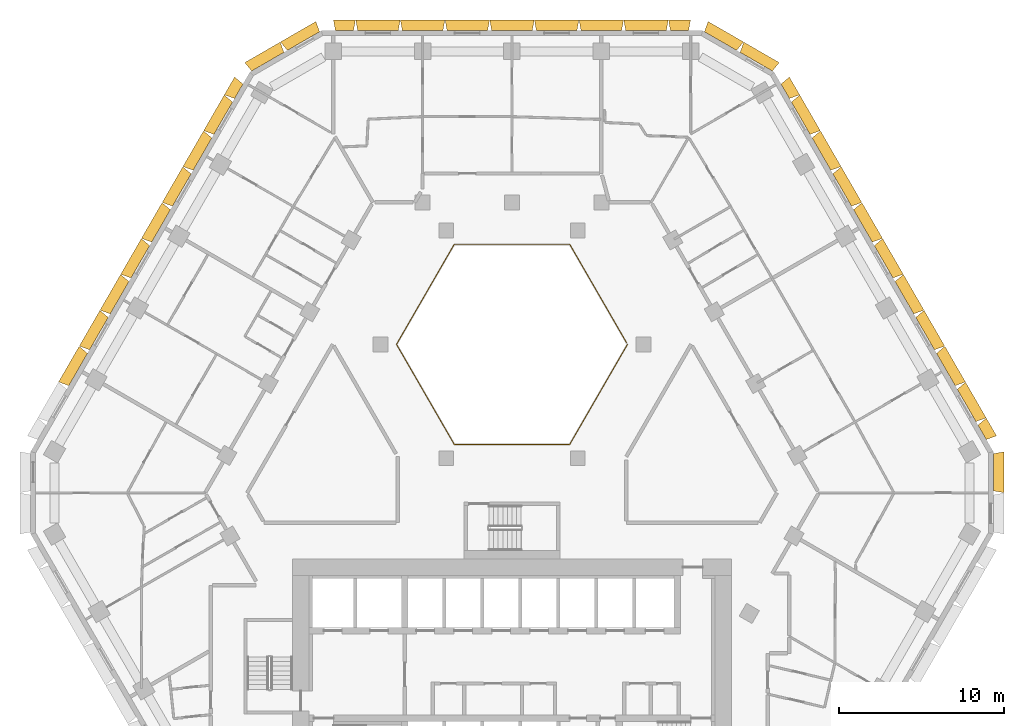
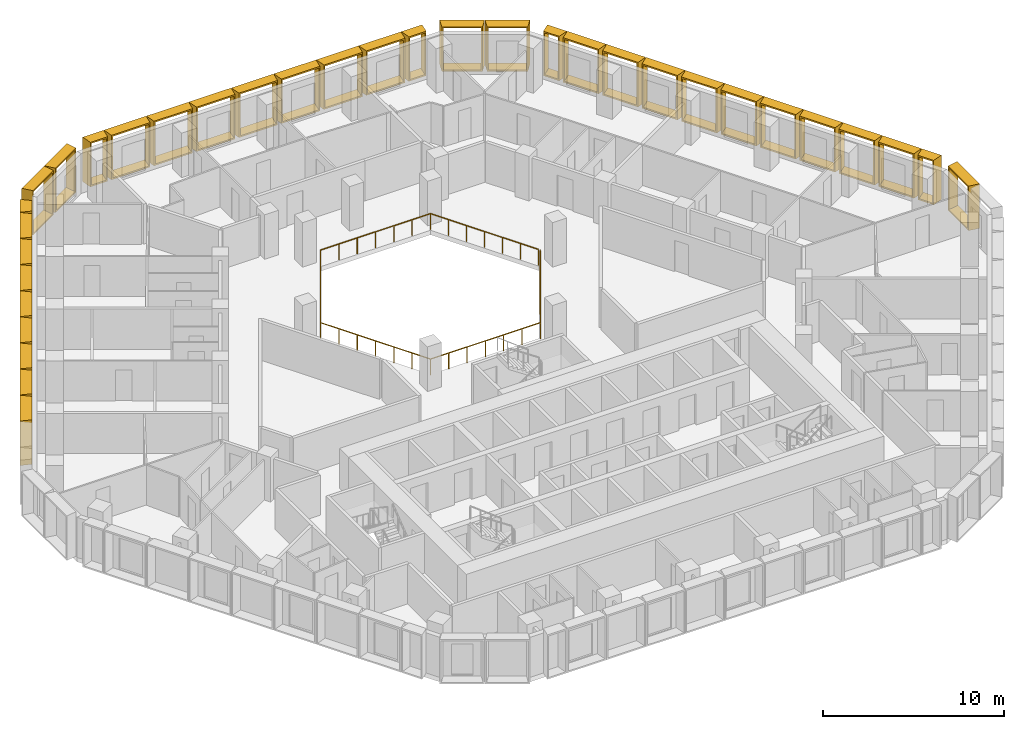
# One storey, part 16 of 16: 34 shading devices, 1 railing.
"""IFC4 building model written with IfcOpenShell, lengths in metres."""

from ifc_helpers import new_model, entity, si_unit, direction, frame, origin, origin_2d, place, context, subcontext, project, spatial, rectangle, extrude, source, transform, mapped, material, type_object, type_shapes, element, save


model = new_model("IFC4")

# Units and contexts
model_context = context("Model", 3, precision=1e-05, world=origin(), true_north=direction((0.0, 1.0)))
body_context = subcontext(model_context, "Body", "Model", "MODEL_VIEW")
ifc_project = project(units=[si_unit("LENGTHUNIT", "METRE"), si_unit("AREAUNIT", "SQUARE_METRE"), si_unit("VOLUMEUNIT", "CUBIC_METRE"), si_unit("PLANEANGLEUNIT", "RADIAN"), si_unit("MASSUNIT", "GRAM", prefix="KILO")], contexts=[model_context])

# Site, building, storey
site_placement = place(None, origin())
site = spatial("IfcSite", under=ifc_project, at=site_placement, CompositionType="ELEMENT")
building_placement = place(site_placement, origin())
building = spatial("IfcBuilding", under=site, at=building_placement, Name="Beryl Residences", CompositionType="ELEMENT")
storey_placement = place(building_placement, frame((0.0, 0.0, 90.0)))
storey = spatial("IfcBuildingStorey", under=building, at=storey_placement, Name="L27", CompositionType="ELEMENT", Elevation=90.0)

# Railing
ifc_material_1 = material(Name="Stainless steel balustrade with glass infill", Category="steel")
railing_type = type_object("IfcRailingType", Name="EG1 edge guard 1100 mm", PredefinedType="GUARDRAIL", material=ifc_material_1)
railing_placement = place(storey_placement, frame((6.9970703125, 8.0, 0.0)))
element("IfcRailing", 1, at=railing_placement, inside=storey, type_object=railing_type, Name="L27 atrium guard", PredefinedType="GUARDRAIL", context=body_context, shape_type="SweptSolid", body=[
    extrude(rectangle(XDim=0.048095703125, YDim=0.048095703125, at=origin_2d()), frame((0.0, 0.0, 1.076171875), z_axis=(-0.499921796684, -0.866070549782, 0.0), x_axis=(0.866070549782, -0.499921796684, 0.0)), (0.0, 0.0, 1.0), 6.9970703125),
    extrude(rectangle(XDim=0.048095703125, YDim=0.048095703125, at=origin_2d()), frame((-3.498046875, -6.06005859375, 1.076171875), z_axis=(-1.0, 0.0, 0.0), x_axis=(0.0, -1.0, 0.0)), (0.0, 0.0, 1.0), 6.998046875),
    extrude(rectangle(XDim=0.048095703125, YDim=0.048095703125, at=origin_2d()), frame((-10.49609375, -6.06005859375, 1.076171875), z_axis=(-0.499921796684, 0.866070549782, 0.0), x_axis=(-0.866070549782, -0.499921796684, 0.0)), (0.0, 0.0, 1.0), 6.9970703125),
    extrude(rectangle(XDim=0.048095703125, YDim=0.048095703125, at=origin_2d()), frame((-13.994140625, 0.0, 1.076171875), z_axis=(0.499921796684, 0.866070549782, 0.0), x_axis=(-0.866070549782, 0.499921796684, 0.0)), (0.0, 0.0, 1.0), 6.9970703125),
    extrude(rectangle(XDim=0.048095703125, YDim=0.048095703125, at=origin_2d()), frame((-10.49609375, 6.06005859375, 1.076171875), z_axis=(1.0, 0.0, 0.0), x_axis=(0.0, 1.0, 0.0)), (0.0, 0.0, 1.0), 6.998046875),
    extrude(rectangle(XDim=0.048095703125, YDim=0.048095703125, at=origin_2d()), frame((-3.498046875, 6.06005859375, 1.076171875), z_axis=(0.499919131929, -0.866072087953, 0.0), x_axis=(0.866072087953, 0.499919131929, 0.0)), (0.0, 0.0, 1.0), 6.877197265625),
    extrude(rectangle(XDim=0.0419921875, YDim=0.0419921875, at=origin_2d()), origin(), (0.0, 0.0, 1.0), 1.052001953125),
    extrude(rectangle(XDim=0.0419921875, YDim=0.0419921875, at=origin_2d()), frame((-0.5830078125, -1.010009765625, 0.0)), (0.0, 0.0, 1.0), 1.052001953125),
    extrude(rectangle(XDim=0.0419921875, YDim=0.0419921875, at=origin_2d()), frame((-1.166015625, -2.02001953125, 0.0)), (0.0, 0.0, 1.0), 1.052001953125),
    extrude(rectangle(XDim=0.0419921875, YDim=0.0419921875, at=origin_2d()), frame((-1.7490234375, -3.030029296875, 0.0)), (0.0, 0.0, 1.0), 1.052001953125),
    extrude(rectangle(XDim=0.0419921875, YDim=0.0419921875, at=origin_2d()), frame((-2.33203125, -4.0400390625, 0.0)), (0.0, 0.0, 1.0), 1.052001953125),
    extrude(rectangle(XDim=0.0419921875, YDim=0.0419921875, at=origin_2d()), frame((-2.9150390625, -5.050048828125, 0.0)), (0.0, 0.0, 1.0), 1.052001953125),
    extrude(rectangle(XDim=0.0419921875, YDim=0.0419921875, at=origin_2d()), frame((-3.498046875, -6.06005859375, 0.0)), (0.0, 0.0, 1.0), 1.052001953125),
    extrude(rectangle(XDim=0.0419921875, YDim=0.0419921875, at=origin_2d()), frame((-4.664306640625, -6.06005859375, 0.0)), (0.0, 0.0, 1.0), 1.052001953125),
    extrude(rectangle(XDim=0.0419921875, YDim=0.0419921875, at=origin_2d()), frame((-5.830810546875, -6.06005859375, 0.0)), (0.0, 0.0, 1.0), 1.052001953125),
    extrude(rectangle(XDim=0.0419921875, YDim=0.0419921875, at=origin_2d()), frame((-6.9970703125, -6.06005859375, 0.0)), (0.0, 0.0, 1.0), 1.052001953125),
    extrude(rectangle(XDim=0.0419921875, YDim=0.0419921875, at=origin_2d()), frame((-8.163330078125, -6.06005859375, 0.0)), (0.0, 0.0, 1.0), 1.052001953125),
    extrude(rectangle(XDim=0.0419921875, YDim=0.0419921875, at=origin_2d()), frame((-9.329833984375, -6.06005859375, 0.0)), (0.0, 0.0, 1.0), 1.052001953125),
    extrude(rectangle(XDim=0.0419921875, YDim=0.0419921875, at=origin_2d()), frame((-10.49609375, -6.06005859375, 0.0)), (0.0, 0.0, 1.0), 1.052001953125),
    extrude(rectangle(XDim=0.0419921875, YDim=0.0419921875, at=origin_2d()), frame((-11.0791015625, -5.050048828125, 0.0)), (0.0, 0.0, 1.0), 1.052001953125),
    extrude(rectangle(XDim=0.0419921875, YDim=0.0419921875, at=origin_2d()), frame((-11.662109375, -4.0400390625, 0.0)), (0.0, 0.0, 1.0), 1.052001953125),
    extrude(rectangle(XDim=0.0419921875, YDim=0.0419921875, at=origin_2d()), frame((-12.2451171875, -3.030029296875, 0.0)), (0.0, 0.0, 1.0), 1.052001953125),
    extrude(rectangle(XDim=0.0419921875, YDim=0.0419921875, at=origin_2d()), frame((-12.828125, -2.02001953125, 0.0)), (0.0, 0.0, 1.0), 1.052001953125),
    extrude(rectangle(XDim=0.0419921875, YDim=0.0419921875, at=origin_2d()), frame((-13.4111328125, -1.010009765625, 0.0)), (0.0, 0.0, 1.0), 1.052001953125),
    extrude(rectangle(XDim=0.0419921875, YDim=0.0419921875, at=origin_2d()), frame((-13.994140625, 0.0, 0.0)), (0.0, 0.0, 1.0), 1.052001953125),
    extrude(rectangle(XDim=0.0419921875, YDim=0.0419921875, at=origin_2d()), frame((-13.4111328125, 1.010009765625, 0.0)), (0.0, 0.0, 1.0), 1.052001953125),
    extrude(rectangle(XDim=0.0419921875, YDim=0.0419921875, at=origin_2d()), frame((-12.828125, 2.02001953125, 0.0)), (0.0, 0.0, 1.0), 1.052001953125),
    extrude(rectangle(XDim=0.0419921875, YDim=0.0419921875, at=origin_2d()), frame((-12.2451171875, 3.030029296875, 0.0)), (0.0, 0.0, 1.0), 1.052001953125),
    extrude(rectangle(XDim=0.0419921875, YDim=0.0419921875, at=origin_2d()), frame((-11.662109375, 4.0400390625, 0.0)), (0.0, 0.0, 1.0), 1.052001953125),
    extrude(rectangle(XDim=0.0419921875, YDim=0.0419921875, at=origin_2d()), frame((-11.0791015625, 5.050048828125, 0.0)), (0.0, 0.0, 1.0), 1.052001953125),
    extrude(rectangle(XDim=0.0419921875, YDim=0.0419921875, at=origin_2d()), frame((-10.49609375, 6.06005859375, 0.0)), (0.0, 0.0, 1.0), 1.052001953125),
    extrude(rectangle(XDim=0.0419921875, YDim=0.0419921875, at=origin_2d()), frame((-9.329833984375, 6.06005859375, 0.0)), (0.0, 0.0, 1.0), 1.052001953125),
    extrude(rectangle(XDim=0.0419921875, YDim=0.0419921875, at=origin_2d()), frame((-8.163330078125, 6.06005859375, 0.0)), (0.0, 0.0, 1.0), 1.052001953125),
    extrude(rectangle(XDim=0.0419921875, YDim=0.0419921875, at=origin_2d()), frame((-6.9970703125, 6.06005859375, 0.0)), (0.0, 0.0, 1.0), 1.052001953125),
    extrude(rectangle(XDim=0.0419921875, YDim=0.0419921875, at=origin_2d()), frame((-5.830810546875, 6.06005859375, 0.0)), (0.0, 0.0, 1.0), 1.052001953125),
    extrude(rectangle(XDim=0.0419921875, YDim=0.0419921875, at=origin_2d()), frame((-4.664306640625, 6.06005859375, 0.0)), (0.0, 0.0, 1.0), 1.052001953125),
    extrude(rectangle(XDim=0.0419921875, YDim=0.0419921875, at=origin_2d()), frame((-3.498046875, 6.06005859375, 0.0)), (0.0, 0.0, 1.0), 1.052001953125),
    extrude(rectangle(XDim=0.0419921875, YDim=0.0419921875, at=origin_2d()), frame((-2.925048828125, 5.0673828125, 0.0)), (0.0, 0.0, 1.0), 1.052001953125),
    extrude(rectangle(XDim=0.0419921875, YDim=0.0419921875, at=origin_2d()), frame((-2.35205078125, 4.07470703125, 0.0)), (0.0, 0.0, 1.0), 1.052001953125),
    extrude(rectangle(XDim=0.0419921875, YDim=0.0419921875, at=origin_2d()), frame((-1.779052734375, 3.08203125, 0.0)), (0.0, 0.0, 1.0), 1.052001953125),
    extrude(rectangle(XDim=0.0419921875, YDim=0.0419921875, at=origin_2d()), frame((-1.2060546875, 2.08935546875, 0.0)), (0.0, 0.0, 1.0), 1.052001953125),
    extrude(rectangle(XDim=0.0419921875, YDim=0.0419921875, at=origin_2d()), frame((-0.633056640625, 1.0966796875, 0.0)), (0.0, 0.0, 1.0), 1.052001953125),
    extrude(rectangle(XDim=0.0419921875, YDim=0.0419921875, at=origin_2d()), frame((-0.06005859375, 0.10400390625, 0.0)), (0.0, 0.0, 1.0), 1.052001953125),
])

# Shading devices
ifc_material_2 = material(Name="Aluminium pale anodised", Category="aluminium")
shading_device_type_1 = type_object("IfcShadingDeviceType", Name="FR126-65A OUTER SKIN frame 650 mm deep, splay 10/10 deg, 1260 x 3000 mm cell", PredefinedType="USERDEFINED", material=ifc_material_2)
cartesian_point_1 = entity("IfcCartesianPoint", [-0.5048828125, 0.0])
cartesian_point_2 = entity("IfcCartesianPoint", [-0.423828125, 0.10009765625])
cartesian_point_3 = entity("IfcCartesianPoint", [-0.61962890625, 0.0])
cartesian_point_4 = entity("IfcCartesianPoint", [-0.538330078125, 0.10009765625])
shared_shape_1 = source(origin(), body_context, "Body", "SweptSolid", [
    entity("IfcExtrudedAreaSolidTapered", entity("IfcArbitraryProfileDefWithVoids", "AREA", None, entity("IfcPolyline", [cartesian_point_1, entity("IfcCartesianPoint", [0.5048828125, 0.0]), entity("IfcCartesianPoint", [0.5048828125, 3.0]), entity("IfcCartesianPoint", [-0.5048828125, 3.0]), cartesian_point_1]), [entity("IfcPolyline", [cartesian_point_2, entity("IfcCartesianPoint", [0.423828125, 0.10009765625]), entity("IfcCartesianPoint", [0.423828125, 2.89990234375]), entity("IfcCartesianPoint", [-0.423828125, 2.89990234375]), cartesian_point_2])]), entity("IfcAxis2Placement3D", entity("IfcCartesianPoint", [0.0, 0.0, 0.0]), entity("IfcDirection", [0.0, 1.0, 0.0]), entity("IfcDirection", [-1.0, 0.0, 0.0])), entity("IfcDirection", [0.0, 0.0, 1.0]), 0.64990234375, entity("IfcArbitraryProfileDefWithVoids", "AREA", None, entity("IfcPolyline", [cartesian_point_3, entity("IfcCartesianPoint", [0.61962890625, 0.0]), entity("IfcCartesianPoint", [0.61962890625, 3.0]), entity("IfcCartesianPoint", [-0.61962890625, 3.0]), cartesian_point_3]), [entity("IfcPolyline", [cartesian_point_4, entity("IfcCartesianPoint", [0.538330078125, 0.10009765625]), entity("IfcCartesianPoint", [0.538330078125, 2.89990234375]), entity("IfcCartesianPoint", [-0.538330078125, 2.89990234375]), cartesian_point_4])])),
])
type_shapes(shading_device_type_1, [shared_shape_1])
for number, where, z_axis, x_axis, name in (
    (2, (-16.552001953125, 23.33203125, 0.0), (0.0, 0.0, 1.0), (0.5, 0.866025403784, 0.0), "FR126-65A frame L27 NW 1"),
    (3, (28.48193359375, 2.66796875, 0.0), (0.0, 0.0, 1.0), (0.5, -0.866025403784, 0.0), "FR126-65A frame L27 NE 1"),
    (4, (16.552001953125, 23.3310546875, 0.0), (0.0, 0.0, 1.0), (0.5, -0.866025403784, 0.0), "FR126-65A frame L27 NE 11"),
):
    element("IfcShadingDevice", number, at=place(storey_placement, frame(where, z_axis=z_axis, x_axis=x_axis)), inside=storey, type_object=shading_device_type_1, Name=name, ObjectType="OUTER SKIN", PredefinedType="USERDEFINED", context=body_context, shape_type="MappedRepresentation", body=[
        mapped(shared_shape_1, transform((0.0, 0.0, 0.0))),
    ])
ifc_material_3 = material(Name="Aluminium pale anodised", Category="aluminium")
shading_device_type_2 = type_object("IfcShadingDeviceType", Name="FR135-65A OUTER SKIN frame 650 mm deep, splay 10/10 deg, 1350 x 3000 mm cell", PredefinedType="USERDEFINED", material=ifc_material_3)
cartesian_point_5 = entity("IfcCartesianPoint", [-0.550048828125, 0.0])
cartesian_point_6 = entity("IfcCartesianPoint", [-0.46875, 0.10009765625])
cartesian_point_7 = entity("IfcCartesianPoint", [-0.66455078125, 0.0])
cartesian_point_8 = entity("IfcCartesianPoint", [-0.58349609375, 0.10009765625])
shared_shape_2 = source(origin(), body_context, "Body", "SweptSolid", [
    entity("IfcExtrudedAreaSolidTapered", entity("IfcArbitraryProfileDefWithVoids", "AREA", None, entity("IfcPolyline", [cartesian_point_5, entity("IfcCartesianPoint", [0.550048828125, 0.0]), entity("IfcCartesianPoint", [0.550048828125, 3.0]), entity("IfcCartesianPoint", [-0.550048828125, 3.0]), cartesian_point_5]), [entity("IfcPolyline", [cartesian_point_6, entity("IfcCartesianPoint", [0.46875, 0.10009765625]), entity("IfcCartesianPoint", [0.46875, 2.89990234375]), entity("IfcCartesianPoint", [-0.46875, 2.89990234375]), cartesian_point_6])]), entity("IfcAxis2Placement3D", entity("IfcCartesianPoint", [0.0, 0.0, 0.0]), entity("IfcDirection", [0.0, 1.0, 0.0]), entity("IfcDirection", [-1.0, 0.0, 0.0])), entity("IfcDirection", [0.0, 0.0, 1.0]), 0.64990234375, entity("IfcArbitraryProfileDefWithVoids", "AREA", None, entity("IfcPolyline", [cartesian_point_7, entity("IfcCartesianPoint", [0.66455078125, 0.0]), entity("IfcCartesianPoint", [0.66455078125, 3.0]), entity("IfcCartesianPoint", [-0.66455078125, 3.0]), cartesian_point_7]), [entity("IfcPolyline", [cartesian_point_8, entity("IfcCartesianPoint", [0.58349609375, 0.10009765625]), entity("IfcCartesianPoint", [0.58349609375, 2.89990234375]), entity("IfcCartesianPoint", [-0.58349609375, 2.89990234375]), cartesian_point_8])])),
])
type_shapes(shading_device_type_2, [shared_shape_2])
for number, where, z_axis, x_axis, name in (
    (5, (10.14794921875, 27.0, 0.0), (0.0, 0.0, 1.0), (1.0, 0.0, 0.0), "FR135-65A frame L27 N 1"),
    (6, (-10.14990234375, 27.0, 0.0), (0.0, 0.0, 1.0), (1.0, 0.0, 0.0), "FR135-65A frame L27 N 9"),
):
    element("IfcShadingDevice", number, at=place(storey_placement, frame(where, z_axis=z_axis, x_axis=x_axis)), inside=storey, type_object=shading_device_type_2, Name=name, ObjectType="OUTER SKIN", PredefinedType="USERDEFINED", context=body_context, shape_type="MappedRepresentation", body=[
        mapped(shared_shape_2, transform((0.0, 0.0, 0.0))),
    ])
ifc_material_4 = material(Name="Aluminium pale anodised", Category="aluminium")
shading_device_type_3 = type_object("IfcShadingDeviceType", Name="FR250-65A OUTER SKIN frame 650 mm deep, splay 10/10 deg, 2500 x 3000 mm cell", PredefinedType="USERDEFINED", material=ifc_material_4)
cartesian_point_9 = entity("IfcCartesianPoint", [-1.125, 0.0])
cartesian_point_10 = entity("IfcCartesianPoint", [-1.043701171875, 0.10009765625])
cartesian_point_11 = entity("IfcCartesianPoint", [-1.239501953125, 0.0])
cartesian_point_12 = entity("IfcCartesianPoint", [-1.158447265625, 0.10009765625])
shared_shape_3 = source(origin(), body_context, "Body", "SweptSolid", [
    entity("IfcExtrudedAreaSolidTapered", entity("IfcArbitraryProfileDefWithVoids", "AREA", None, entity("IfcPolyline", [cartesian_point_9, entity("IfcCartesianPoint", [1.125, 0.0]), entity("IfcCartesianPoint", [1.125, 3.0]), entity("IfcCartesianPoint", [-1.125, 3.0]), cartesian_point_9]), [entity("IfcPolyline", [cartesian_point_10, entity("IfcCartesianPoint", [1.043701171875, 0.10009765625]), entity("IfcCartesianPoint", [1.043701171875, 2.89990234375]), entity("IfcCartesianPoint", [-1.043701171875, 2.89990234375]), cartesian_point_10])]), entity("IfcAxis2Placement3D", entity("IfcCartesianPoint", [0.0, 0.0, 0.0]), entity("IfcDirection", [0.0, 1.0, 0.0]), entity("IfcDirection", [-1.0, 0.0, 0.0])), entity("IfcDirection", [0.0, 0.0, 1.0]), 0.64990234375, entity("IfcArbitraryProfileDefWithVoids", "AREA", None, entity("IfcPolyline", [cartesian_point_11, entity("IfcCartesianPoint", [1.239501953125, 0.0]), entity("IfcCartesianPoint", [1.239501953125, 3.0]), entity("IfcCartesianPoint", [-1.239501953125, 3.0]), cartesian_point_11]), [entity("IfcPolyline", [cartesian_point_12, entity("IfcCartesianPoint", [1.158447265625, 0.10009765625]), entity("IfcCartesianPoint", [1.158447265625, 2.89990234375]), entity("IfcCartesianPoint", [-1.158447265625, 2.89990234375]), cartesian_point_12])])),
])
type_shapes(shading_device_type_3, [shared_shape_3])
for number, where, z_axis, x_axis, name in (
    (7, (-12.6298828125, 26.375, 0.0), (0.0, 0.0, 1.0), (0.866025403784, 0.5, 0.0), "FR250-65A frame L27 N-NW 1"),
    (8, (-14.7939453125, 25.125, 0.0), (0.0, 0.0, 1.0), (0.866025403784, 0.5, 0.0), "FR250-65A frame L27 N-NW 2"),
    (9, (29.156982421875, 0.25, 0.0), (0.0, 0.0, 1.0), (0.0, -1.0, 0.0), "FR250-65A frame L27 SE-NE 2"),
    (10, (14.7939453125, 25.125, 0.0), (0.0, 0.0, 1.0), (0.866025403784, -0.5, 0.0), "FR250-65A frame L27 NE-N 1"),
    (11, (12.6298828125, 26.375, 0.0), (0.0, 0.0, 1.0), (0.866025403784, -0.5, 0.0), "FR250-65A frame L27 NE-N 2"),
):
    element("IfcShadingDevice", number, at=place(storey_placement, frame(where, z_axis=z_axis, x_axis=x_axis)), inside=storey, type_object=shading_device_type_3, Name=name, ObjectType="OUTER SKIN", PredefinedType="USERDEFINED", context=body_context, shape_type="MappedRepresentation", body=[
        mapped(shared_shape_3, transform((0.0, 0.0, 0.0))),
    ])
ifc_material_5 = material(Name="Aluminium pale anodised", Category="aluminium")
shading_device_type_4 = type_object("IfcShadingDeviceType", Name="FR251-65A OUTER SKIN frame 650 mm deep, splay 10/10 deg, 2510 x 3000 mm cell", PredefinedType="USERDEFINED", material=ifc_material_5)
cartesian_point_13 = entity("IfcCartesianPoint", [-1.1298828125, 0.0])
cartesian_point_14 = entity("IfcCartesianPoint", [-1.048828125, 0.10009765625])
cartesian_point_15 = entity("IfcCartesianPoint", [-1.24462890625, 0.0])
cartesian_point_16 = entity("IfcCartesianPoint", [-1.163330078125, 0.10009765625])
shared_shape_4 = source(origin(), body_context, "Body", "SweptSolid", [
    entity("IfcExtrudedAreaSolidTapered", entity("IfcArbitraryProfileDefWithVoids", "AREA", None, entity("IfcPolyline", [cartesian_point_13, entity("IfcCartesianPoint", [1.1298828125, 0.0]), entity("IfcCartesianPoint", [1.1298828125, 3.0]), entity("IfcCartesianPoint", [-1.1298828125, 3.0]), cartesian_point_13]), [entity("IfcPolyline", [cartesian_point_14, entity("IfcCartesianPoint", [1.048828125, 0.10009765625]), entity("IfcCartesianPoint", [1.048828125, 2.89990234375]), entity("IfcCartesianPoint", [-1.048828125, 2.89990234375]), cartesian_point_14])]), entity("IfcAxis2Placement3D", entity("IfcCartesianPoint", [0.0, 0.0, 0.0]), entity("IfcDirection", [0.0, 1.0, 0.0]), entity("IfcDirection", [-1.0, 0.0, 0.0])), entity("IfcDirection", [0.0, 0.0, 1.0]), 0.64990234375, entity("IfcArbitraryProfileDefWithVoids", "AREA", None, entity("IfcPolyline", [cartesian_point_15, entity("IfcCartesianPoint", [1.24462890625, 0.0]), entity("IfcCartesianPoint", [1.24462890625, 3.0]), entity("IfcCartesianPoint", [-1.24462890625, 3.0]), cartesian_point_15]), [entity("IfcPolyline", [cartesian_point_16, entity("IfcCartesianPoint", [1.163330078125, 0.10009765625]), entity("IfcCartesianPoint", [1.163330078125, 2.89990234375]), entity("IfcCartesianPoint", [-1.163330078125, 2.89990234375]), cartesian_point_16])])),
])
type_shapes(shading_device_type_4, [shared_shape_4])
for number, where, z_axis, x_axis, name in (
    (12, (-17.493896484375, 21.699951171875, 0.0), (0.0, 0.0, 1.0), (0.5, 0.866025403784, 0.0), "FR251-65A frame L27 NW 2"),
    (13, (-18.7490234375, 19.52490234375, 0.0), (0.0, 0.0, 1.0), (0.5, 0.866025403784, 0.0), "FR251-65A frame L27 NW 3"),
    (14, (-20.0048828125, 17.35009765625, 0.0), (0.0, 0.0, 1.0), (0.5, 0.866025403784, 0.0), "FR251-65A frame L27 NW 4"),
    (15, (-21.260986328125, 15.175048828125, 0.0), (0.0, 0.0, 1.0), (0.5, 0.866025403784, 0.0), "FR251-65A frame L27 NW 5"),
    (16, (-22.51708984375, 13.0, 0.0), (0.0, 0.0, 1.0), (0.5, 0.866025403784, 0.0), "FR251-65A frame L27 NW 6"),
    (17, (-23.77294921875, 10.824951171875, 0.0), (0.0, 0.0, 1.0), (0.5, 0.866025403784, 0.0), "FR251-65A frame L27 NW 7"),
    (18, (-25.028076171875, 8.64990234375, 0.0), (0.0, 0.0, 1.0), (0.5, 0.866025403784, 0.0), "FR251-65A frame L27 NW 8"),
    (19, (-26.283935546875, 6.47509765625, 0.0), (0.0, 0.0, 1.0), (0.5, 0.866025403784, 0.0), "FR251-65A frame L27 NW 9"),
    (20, (27.5400390625, 4.300048828125, 0.0), (0.0, 0.0, 1.0), (0.5, -0.866025403784, 0.0), "FR251-65A frame L27 NE 2"),
    (21, (26.284912109375, 6.47509765625, 0.0), (0.0, 0.0, 1.0), (0.5, -0.866025403784, 0.0), "FR251-65A frame L27 NE 3"),
    (22, (25.029052734375, 8.64990234375, 0.0), (0.0, 0.0, 1.0), (0.5, -0.866025403784, 0.0), "FR251-65A frame L27 NE 4"),
    (23, (23.77294921875, 10.824951171875, 0.0), (0.0, 0.0, 1.0), (0.5, -0.866025403784, 0.0), "FR251-65A frame L27 NE 5"),
    (24, (22.51708984375, 13.0, 0.0), (0.0, 0.0, 1.0), (0.5, -0.866025403784, 0.0), "FR251-65A frame L27 NE 6"),
    (25, (21.260986328125, 15.175048828125, 0.0), (0.0, 0.0, 1.0), (0.5, -0.866025403784, 0.0), "FR251-65A frame L27 NE 7"),
    (26, (20.006103515625, 17.35009765625, 0.0), (0.0, 0.0, 1.0), (0.5, -0.866025403784, 0.0), "FR251-65A frame L27 NE 8"),
    (27, (18.75, 19.52490234375, 0.0), (0.0, 0.0, 1.0), (0.5, -0.866025403784, 0.0), "FR251-65A frame L27 NE 9"),
    (28, (17.493896484375, 21.699951171875, 0.0), (0.0, 0.0, 1.0), (0.5, -0.866025403784, 0.0), "FR251-65A frame L27 NE 10"),
):
    element("IfcShadingDevice", number, at=place(storey_placement, frame(where, z_axis=z_axis, x_axis=x_axis)), inside=storey, type_object=shading_device_type_4, Name=name, ObjectType="OUTER SKIN", PredefinedType="USERDEFINED", context=body_context, shape_type="MappedRepresentation", body=[
        mapped(shared_shape_4, transform((0.0, 0.0, 0.0))),
    ])
ifc_material_6 = material(Name="Aluminium pale anodised", Category="aluminium")
shading_device_type_5 = type_object("IfcShadingDeviceType", Name="FR271-65A OUTER SKIN frame 650 mm deep, splay 10/10 deg, 2710 x 3000 mm cell", PredefinedType="USERDEFINED", material=ifc_material_6)
cartesian_point_17 = entity("IfcCartesianPoint", [-1.22998046875, 0.0])
cartesian_point_18 = entity("IfcCartesianPoint", [-1.148681640625, 0.10009765625])
cartesian_point_19 = entity("IfcCartesianPoint", [-1.3447265625, 0.0])
cartesian_point_20 = entity("IfcCartesianPoint", [-1.263427734375, 0.10009765625])
shared_shape_5 = source(origin(), body_context, "Body", "SweptSolid", [
    entity("IfcExtrudedAreaSolidTapered", entity("IfcArbitraryProfileDefWithVoids", "AREA", None, entity("IfcPolyline", [cartesian_point_17, entity("IfcCartesianPoint", [1.22998046875, 0.0]), entity("IfcCartesianPoint", [1.22998046875, 3.0]), entity("IfcCartesianPoint", [-1.22998046875, 3.0]), cartesian_point_17]), [entity("IfcPolyline", [cartesian_point_18, entity("IfcCartesianPoint", [1.148681640625, 0.10009765625]), entity("IfcCartesianPoint", [1.148681640625, 2.89990234375]), entity("IfcCartesianPoint", [-1.148681640625, 2.89990234375]), cartesian_point_18])]), entity("IfcAxis2Placement3D", entity("IfcCartesianPoint", [0.0, 0.0, 0.0]), entity("IfcDirection", [0.0, 1.0, 0.0]), entity("IfcDirection", [-1.0, 0.0, 0.0])), entity("IfcDirection", [0.0, 0.0, 1.0]), 0.64990234375, entity("IfcArbitraryProfileDefWithVoids", "AREA", None, entity("IfcPolyline", [cartesian_point_19, entity("IfcCartesianPoint", [1.3447265625, 0.0]), entity("IfcCartesianPoint", [1.3447265625, 3.0]), entity("IfcCartesianPoint", [-1.3447265625, 3.0]), cartesian_point_19]), [entity("IfcPolyline", [cartesian_point_20, entity("IfcCartesianPoint", [1.263427734375, 0.10009765625]), entity("IfcCartesianPoint", [1.263427734375, 2.89990234375]), entity("IfcCartesianPoint", [-1.263427734375, 2.89990234375]), cartesian_point_20])])),
])
type_shapes(shading_device_type_5, [shared_shape_5])
for number, where, z_axis, x_axis, name in (
    (29, (8.118896484375, 27.0, 0.0), (0.0, 0.0, 1.0), (1.0, 0.0, 0.0), "FR271-65A frame L27 N 2"),
    (30, (5.412109375, 27.0, 0.0), (0.0, 0.0, 1.0), (1.0, 0.0, 0.0), "FR271-65A frame L27 N 3"),
    (31, (2.705078125, 27.0, 0.0), (0.0, 0.0, 1.0), (1.0, 0.0, 0.0), "FR271-65A frame L27 N 4"),
    (32, (-0.0009765625, 27.0, 0.0), (0.0, 0.0, 1.0), (1.0, 0.0, 0.0), "FR271-65A frame L27 N 5"),
    (33, (-2.70703125, 27.0, 0.0), (0.0, 0.0, 1.0), (1.0, 0.0, 0.0), "FR271-65A frame L27 N 6"),
    (34, (-5.4140625, 27.0, 0.0), (0.0, 0.0, 1.0), (1.0, 0.0, 0.0), "FR271-65A frame L27 N 7"),
    (35, (-8.1201171875, 27.0, 0.0), (0.0, 0.0, 1.0), (1.0, 0.0, 0.0), "FR271-65A frame L27 N 8"),
):
    element("IfcShadingDevice", number, at=place(storey_placement, frame(where, z_axis=z_axis, x_axis=x_axis)), inside=storey, type_object=shading_device_type_5, Name=name, ObjectType="OUTER SKIN", PredefinedType="USERDEFINED", context=body_context, shape_type="MappedRepresentation", body=[
        mapped(shared_shape_5, transform((0.0, 0.0, 0.0))),
    ])

save(model, "model.ifc")
